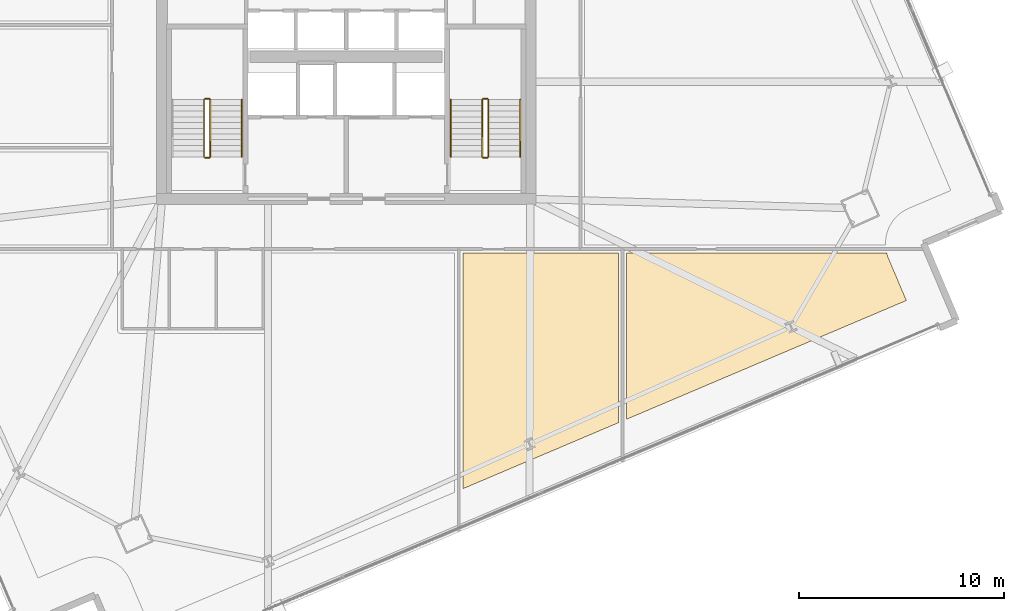
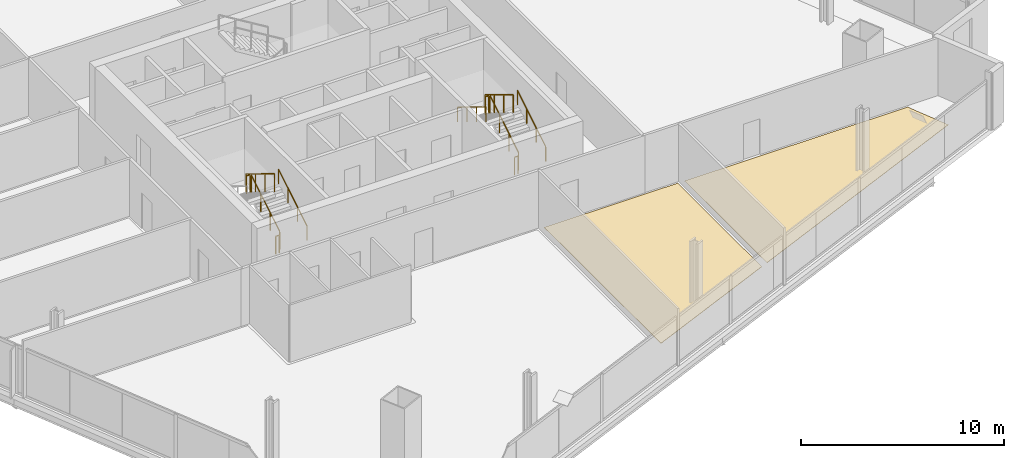
# One storey, part 31 of 34: 11 railings, 2 coverings.
"""IFC4 building model written with IfcOpenShell, lengths in metres."""

from ifc_helpers import new_model, si_unit, direction, frame, origin, origin_2d, place, context, subcontext, project, spatial, polyline, rectangle, outline, extrude, material, layer, layer_set, type_object, element, save


model = new_model("IFC4")

# Units and contexts
model_context = context("Model", 3, precision=1e-05, world=origin(), true_north=direction((0.0, 1.0)))
body_context = subcontext(model_context, "Body", "Model", "MODEL_VIEW")
ifc_project = project(units=[si_unit("LENGTHUNIT", "METRE"), si_unit("AREAUNIT", "SQUARE_METRE"), si_unit("VOLUMEUNIT", "CUBIC_METRE"), si_unit("PLANEANGLEUNIT", "RADIAN"), si_unit("MASSUNIT", "GRAM", prefix="KILO")], contexts=[model_context])

# Site, building, storey
site_placement = place(None, origin())
site = spatial("IfcSite", under=ifc_project, at=site_placement, CompositionType="ELEMENT")
building_placement = place(site_placement, origin())
building = spatial("IfcBuilding", under=site, at=building_placement, Name="Haldenkirk Collegiate Tower", CompositionType="ELEMENT")
storey_placement = place(building_placement, frame((0.0, 0.0, 105.449951171875)))
storey = spatial("IfcBuildingStorey", under=building, at=storey_placement, Name="L25", CompositionType="ELEMENT", Elevation=105.449951171875)

# Coverings
ifc_material_1 = material(Name="Polished collegiate terrazzo", Category="concrete")
ifc_layer_1 = layer(ifc_material_1, 0.02490234375)
ifc_layer_set_1 = layer_set([ifc_layer_1], Name="Polished collegiate terrazzo")
covering_type_1 = type_object("IfcCoveringType", Name="COV-FLOOR-TERRAZZO", PredefinedType="FLOORING", material=ifc_layer_set_1)
covering_1_placement = place(storey_placement, origin())
element("IfcCovering", 1, at=covering_1_placement, inside=storey, type_object=covering_type_1, Name="L25 academic room finish 02", PredefinedType="FLOORING", context=body_context, shape_type="SweptSolid", body=[
    extrude(outline(polyline([(41.699951171875, 3.835205078125), (41.699951171875, 15.35009765625), (49.300048828125, 15.35009765625), (49.300048828125, 7.06103515625), (41.699951171875, 3.835205078125)])), origin(), (0.0, 0.0, 1.0), 0.025146484375),
])
ifc_material_2 = material(Name="Engineered collegiate oak acoustic flooring", Category="wood")
ifc_layer_2 = layer(ifc_material_2, 0.02197265625)
ifc_layer_set_2 = layer_set([ifc_layer_2], Name="Engineered collegiate oak acoustic flooring")
covering_type_2 = type_object("IfcCoveringType", Name="COV-FLOOR-TIMBER", PredefinedType="FLOORING", material=ifc_layer_set_2)
covering_2_placement = place(storey_placement, origin())
element("IfcCovering", 2, at=covering_2_placement, inside=storey, type_object=covering_type_2, Name="L25 academic room finish 03", PredefinedType="FLOORING", context=body_context, shape_type="SweptSolid", body=[
    extrude(outline(polyline([(62.413818359375, 15.35009765625), (62.435791015625, 15.264892578125), (62.439208984375, 15.25390625), (62.49853515625, 15.092529296875), (62.50048828125, 15.087158203125), (63.3720703125, 13.034423828125), (49.699951171875, 7.23095703125), (49.699951171875, 15.35009765625), (62.413818359375, 15.35009765625)])), origin(), (0.0, 0.0, 1.0), 0.02197265625),
])

# Railings
ifc_material_3 = material(Name="Painted architectural tubular steel", Category="steel")
railing_type_1 = type_object("IfcRailingType", Name="RLG-STAIR-GUARD-1100", PredefinedType="BALUSTRADE", material=ifc_material_3)
railing_1_placement = place(storey_placement, frame((29.35009765625, 20.050048828125, 0.17041015625)))
element("IfcRailing", 3, at=railing_1_placement, inside=storey, type_object=railing_type_1, Name="L25 ST-1 stair guard 1", PredefinedType="BALUSTRADE", context=body_context, shape_type="SweptSolid", body=[
    extrude(rectangle(XDim=0.048095703125, YDim=0.048095703125, at=origin_2d()), frame((0.0, 0.0, 1.076171875), z_axis=(0.0, 0.854169791009, 0.51999420009), x_axis=(-1.0, 0.0, 0.0)), (0.0, 0.0, 1.0), 3.278076171875),
    extrude(rectangle(XDim=0.0419921875, YDim=0.0419921875, at=origin_2d()), origin(), (0.0, 0.0, 1.0), 1.052001953125),
    extrude(rectangle(XDim=0.0419921875, YDim=0.0419921875, at=origin_2d()), frame((0.0, 0.933349609375, 0.568115234375)), (0.0, 0.0, 1.0), 1.052001953125),
    extrude(rectangle(XDim=0.0419921875, YDim=0.0419921875, at=origin_2d()), frame((0.0, 1.86669921875, 1.136474609375)), (0.0, 0.0, 1.0), 1.052001953125),
    extrude(rectangle(XDim=0.0419921875, YDim=0.0419921875, at=origin_2d()), frame((0.0, 2.800048828125, 1.70458984375)), (0.0, 0.0, 1.0), 1.052001953125),
])
railing_2_placement = place(storey_placement, frame((29.300048828125, 22.89990234375, 1.875)))
element("IfcRailing", 4, at=railing_2_placement, inside=storey, type_object=railing_type_1, Name="L25 ST-1 stair guard 2", PredefinedType="BALUSTRADE", context=body_context, shape_type="SweptSolid", body=[
    extrude(rectangle(XDim=0.048095703125, YDim=0.048095703125, at=origin_2d()), frame((0.0, 0.0, 1.076171875), z_axis=(-1.0, 0.0, 0.0), x_axis=(0.0, -1.0, 0.0)), (0.0, 0.0, 1.0), 0.199951171875),
    extrude(rectangle(XDim=0.0419921875, YDim=0.0419921875, at=origin_2d()), origin(), (0.0, 0.0, 1.0), 1.052001953125),
    extrude(rectangle(XDim=0.0419921875, YDim=0.0419921875, at=origin_2d()), frame((-0.199951171875, 0.0, 0.0)), (0.0, 0.0, 1.0), 1.052001953125),
])
railing_3_placement = place(storey_placement, frame((29.050048828125, 22.85009765625, 2.04541015625)))
element("IfcRailing", 5, at=railing_3_placement, inside=storey, type_object=railing_type_1, Name="L25 ST-1 stair guard 3", PredefinedType="BALUSTRADE", context=body_context, shape_type="SweptSolid", body=[
    extrude(rectangle(XDim=0.048095703125, YDim=0.048095703125, at=origin_2d()), frame((0.0, 0.0, 1.076171875), z_axis=(0.0, -0.854169791009, 0.51999420009), x_axis=(1.0, 0.0, 0.0)), (0.0, 0.0, 1.0), 3.278076171875),
    extrude(rectangle(XDim=0.0419921875, YDim=0.0419921875, at=origin_2d()), origin(), (0.0, 0.0, 1.0), 1.052001953125),
    extrude(rectangle(XDim=0.0419921875, YDim=0.0419921875, at=origin_2d()), frame((0.0, -0.933349609375, 0.568115234375)), (0.0, 0.0, 1.0), 1.052001953125),
    extrude(rectangle(XDim=0.0419921875, YDim=0.0419921875, at=origin_2d()), frame((0.0, -1.86669921875, 1.136474609375)), (0.0, 0.0, 1.0), 1.052001953125),
    extrude(rectangle(XDim=0.0419921875, YDim=0.0419921875, at=origin_2d()), frame((0.0, -2.800048828125, 1.70458984375)), (0.0, 0.0, 1.0), 1.052001953125),
])
railing_4_placement = place(storey_placement, frame((29.300048828125, 20.0, 0.0)))
element("IfcRailing", 6, at=railing_4_placement, inside=storey, type_object=railing_type_1, Name="L25 ST-1 stair guard 4", PredefinedType="BALUSTRADE", context=body_context, shape_type="SweptSolid", body=[
    extrude(rectangle(XDim=0.048095703125, YDim=0.048095703125, at=origin_2d()), frame((0.0, 0.0, 1.076171875), z_axis=(-1.0, 0.0, 0.0), x_axis=(0.0, -1.0, 0.0)), (0.0, 0.0, 1.0), 0.199951171875),
    extrude(rectangle(XDim=0.0419921875, YDim=0.0419921875, at=origin_2d()), origin(), (0.0, 0.0, 1.0), 1.052001953125),
    extrude(rectangle(XDim=0.0419921875, YDim=0.0419921875, at=origin_2d()), frame((-0.199951171875, 0.0, 0.0)), (0.0, 0.0, 1.0), 1.052001953125),
])
railing_5_placement = place(storey_placement, frame((42.949951171875, 20.050048828125, 0.17041015625)))
element("IfcRailing", 7, at=railing_5_placement, inside=storey, type_object=railing_type_1, Name="L25 ST-2 stair guard 1", PredefinedType="BALUSTRADE", context=body_context, shape_type="SweptSolid", body=[
    extrude(rectangle(XDim=0.048095703125, YDim=0.048095703125, at=origin_2d()), frame((0.0, 0.0, 1.076171875), z_axis=(0.0, 0.854169791009, 0.51999420009), x_axis=(-1.0, 0.0, 0.0)), (0.0, 0.0, 1.0), 3.278076171875),
    extrude(rectangle(XDim=0.0419921875, YDim=0.0419921875, at=origin_2d()), origin(), (0.0, 0.0, 1.0), 1.052001953125),
    extrude(rectangle(XDim=0.0419921875, YDim=0.0419921875, at=origin_2d()), frame((0.0, 0.933349609375, 0.568115234375)), (0.0, 0.0, 1.0), 1.052001953125),
    extrude(rectangle(XDim=0.0419921875, YDim=0.0419921875, at=origin_2d()), frame((0.0, 1.86669921875, 1.136474609375)), (0.0, 0.0, 1.0), 1.052001953125),
    extrude(rectangle(XDim=0.0419921875, YDim=0.0419921875, at=origin_2d()), frame((0.0, 2.800048828125, 1.70458984375)), (0.0, 0.0, 1.0), 1.052001953125),
])
railing_6_placement = place(storey_placement, frame((42.89990234375, 22.89990234375, 1.875)))
element("IfcRailing", 8, at=railing_6_placement, inside=storey, type_object=railing_type_1, Name="L25 ST-2 stair guard 2", PredefinedType="BALUSTRADE", context=body_context, shape_type="SweptSolid", body=[
    extrude(rectangle(XDim=0.048095703125, YDim=0.048095703125, at=origin_2d()), frame((0.0, 0.0, 1.076171875), z_axis=(-1.0, 0.0, 0.0), x_axis=(0.0, -1.0, 0.0)), (0.0, 0.0, 1.0), 0.199951171875),
    extrude(rectangle(XDim=0.0419921875, YDim=0.0419921875, at=origin_2d()), origin(), (0.0, 0.0, 1.0), 1.052001953125),
    extrude(rectangle(XDim=0.0419921875, YDim=0.0419921875, at=origin_2d()), frame((-0.199951171875, 0.0, 0.0)), (0.0, 0.0, 1.0), 1.052001953125),
])
railing_7_placement = place(storey_placement, frame((42.64990234375, 22.85009765625, 2.04541015625)))
element("IfcRailing", 9, at=railing_7_placement, inside=storey, type_object=railing_type_1, Name="L25 ST-2 stair guard 3", PredefinedType="BALUSTRADE", context=body_context, shape_type="SweptSolid", body=[
    extrude(rectangle(XDim=0.048095703125, YDim=0.048095703125, at=origin_2d()), frame((0.0, 0.0, 1.076171875), z_axis=(0.0, -0.854169791009, 0.51999420009), x_axis=(1.0, 0.0, 0.0)), (0.0, 0.0, 1.0), 3.278076171875),
    extrude(rectangle(XDim=0.0419921875, YDim=0.0419921875, at=origin_2d()), origin(), (0.0, 0.0, 1.0), 1.052001953125),
    extrude(rectangle(XDim=0.0419921875, YDim=0.0419921875, at=origin_2d()), frame((0.0, -0.933349609375, 0.568115234375)), (0.0, 0.0, 1.0), 1.052001953125),
    extrude(rectangle(XDim=0.0419921875, YDim=0.0419921875, at=origin_2d()), frame((0.0, -1.86669921875, 1.136474609375)), (0.0, 0.0, 1.0), 1.052001953125),
    extrude(rectangle(XDim=0.0419921875, YDim=0.0419921875, at=origin_2d()), frame((0.0, -2.800048828125, 1.70458984375)), (0.0, 0.0, 1.0), 1.052001953125),
])
railing_8_placement = place(storey_placement, frame((42.89990234375, 20.0, 0.0)))
element("IfcRailing", 10, at=railing_8_placement, inside=storey, type_object=railing_type_1, Name="L25 ST-2 stair guard 4", PredefinedType="BALUSTRADE", context=body_context, shape_type="SweptSolid", body=[
    extrude(rectangle(XDim=0.048095703125, YDim=0.048095703125, at=origin_2d()), frame((0.0, 0.0, 1.076171875), z_axis=(-1.0, 0.0, 0.0), x_axis=(0.0, -1.0, 0.0)), (0.0, 0.0, 1.0), 0.199951171875),
    extrude(rectangle(XDim=0.0419921875, YDim=0.0419921875, at=origin_2d()), origin(), (0.0, 0.0, 1.0), 1.052001953125),
    extrude(rectangle(XDim=0.0419921875, YDim=0.0419921875, at=origin_2d()), frame((-0.199951171875, 0.0, 0.0)), (0.0, 0.0, 1.0), 1.052001953125),
])
railing_type_2 = type_object("IfcRailingType", Name="RLG-STAIR-HANDRAIL-900", PredefinedType="HANDRAIL", material=ifc_material_3)
for number, where, name in (
    (11, (30.89990234375, 20.050048828125, 0.17041015625), "L25 ST-1 stair handrail 1"),
    (12, (44.5, 20.050048828125, 0.17041015625), "L25 ST-2 stair handrail 1"),
):
    element("IfcRailing", number, at=place(storey_placement, frame(where)), inside=storey, type_object=railing_type_2, Name=name, PredefinedType="HANDRAIL", context=body_context, shape_type="SweptSolid", body=[
        extrude(rectangle(XDim=0.048095703125, YDim=0.048095703125, at=origin_2d()), frame((0.0, 0.0, 0.8759765625), z_axis=(0.0, 0.854169791009, 0.51999420009), x_axis=(-1.0, 0.0, 0.0)), (0.0, 0.0, 1.0), 3.278076171875),
        extrude(rectangle(XDim=0.0419921875, YDim=0.0419921875, at=origin_2d()), origin(), (0.0, 0.0, 1.0), 0.851806640625),
        extrude(rectangle(XDim=0.0419921875, YDim=0.0419921875, at=origin_2d()), frame((0.0, 0.933349609375, 0.568115234375)), (0.0, 0.0, 1.0), 0.851806640625),
        extrude(rectangle(XDim=0.0419921875, YDim=0.0419921875, at=origin_2d()), frame((0.0, 1.86669921875, 1.136474609375)), (0.0, 0.0, 1.0), 0.851806640625),
        extrude(rectangle(XDim=0.0419921875, YDim=0.0419921875, at=origin_2d()), frame((0.0, 2.800048828125, 1.70458984375)), (0.0, 0.0, 1.0), 0.851806640625),
    ])
railing_9_placement = place(storey_placement, frame((41.10009765625, 22.85009765625, 2.04541015625)))
element("IfcRailing", 13, at=railing_9_placement, inside=storey, type_object=railing_type_2, Name="L25 ST-2 stair handrail 2", PredefinedType="HANDRAIL", context=body_context, shape_type="SweptSolid", body=[
    extrude(rectangle(XDim=0.048095703125, YDim=0.048095703125, at=origin_2d()), frame((0.0, 0.0, 0.8759765625), z_axis=(0.0, -0.854169791009, 0.51999420009), x_axis=(1.0, 0.0, 0.0)), (0.0, 0.0, 1.0), 3.278076171875),
    extrude(rectangle(XDim=0.0419921875, YDim=0.0419921875, at=origin_2d()), origin(), (0.0, 0.0, 1.0), 0.851806640625),
    extrude(rectangle(XDim=0.0419921875, YDim=0.0419921875, at=origin_2d()), frame((0.0, -0.933349609375, 0.568115234375)), (0.0, 0.0, 1.0), 0.851806640625),
    extrude(rectangle(XDim=0.0419921875, YDim=0.0419921875, at=origin_2d()), frame((0.0, -1.86669921875, 1.136474609375)), (0.0, 0.0, 1.0), 0.851806640625),
    extrude(rectangle(XDim=0.0419921875, YDim=0.0419921875, at=origin_2d()), frame((0.0, -2.800048828125, 1.70458984375)), (0.0, 0.0, 1.0), 0.851806640625),
])

save(model, "model.ifc")
